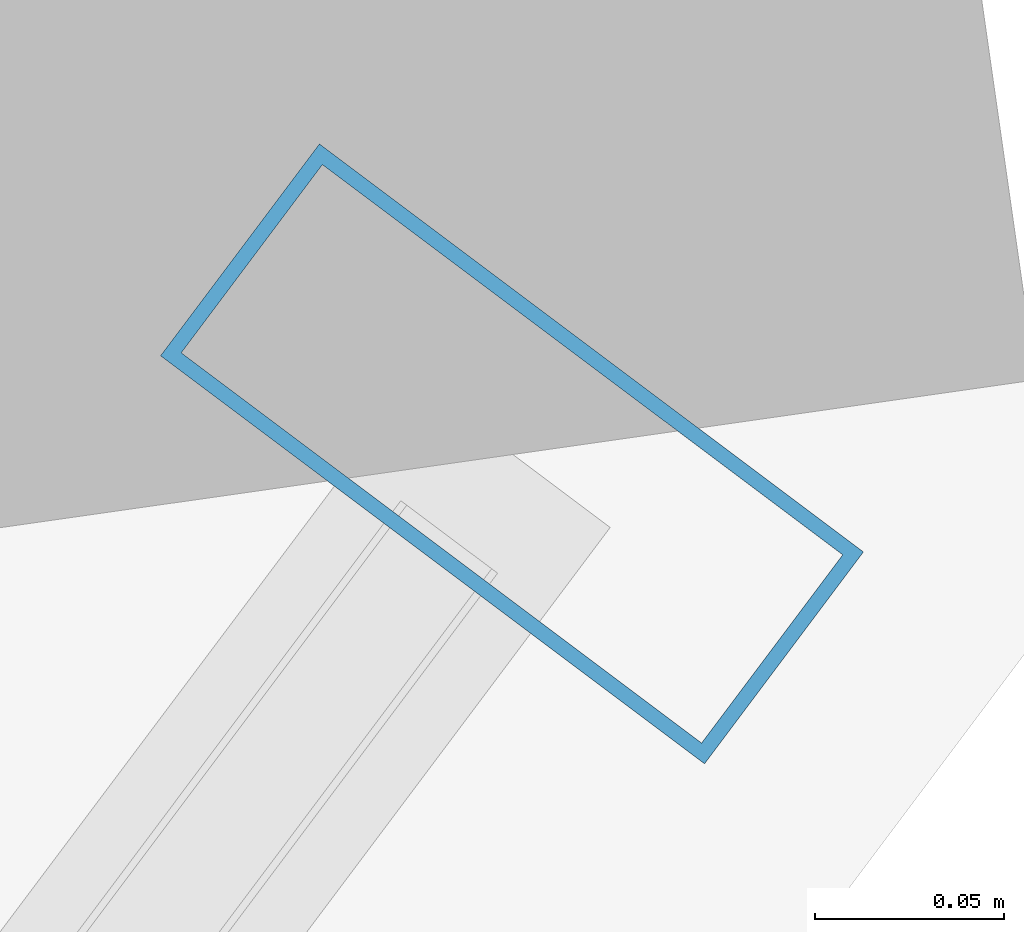
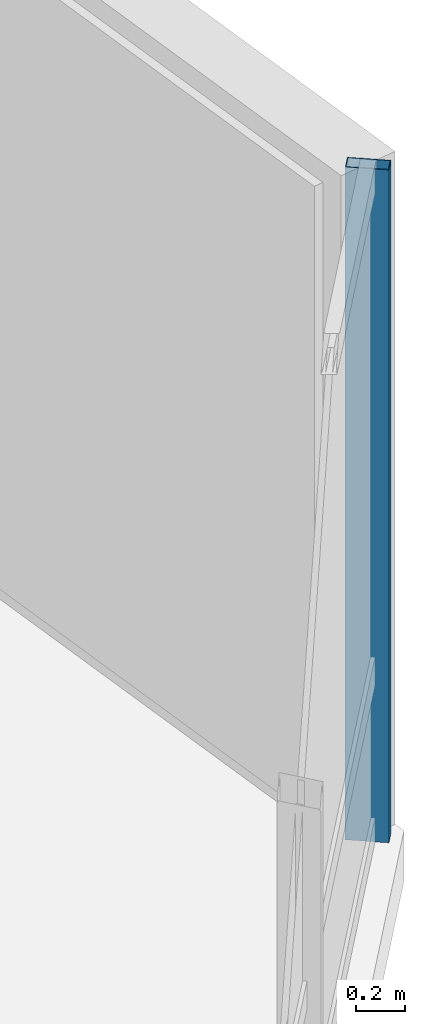
# One storey, part 12 of 29: 1 member, 1 element without a shape of its own.
"""IFC4 building model written with IfcOpenShell, lengths in metres."""

from ifc_helpers import new_model, si_unit, direction, frame, origin, origin_2d, place, context, subcontext, project, spatial, hollow_rectangle, extrude, material, layer, layer_set, material_profile, profile_set, type_object, element, aggregate, save


model = new_model("IFC4")

# Units and contexts
model_context = context("Model", 3, precision=1e-05, world=origin(), true_north=direction((0.0, 1.0)))
body_context = subcontext(model_context, "Body", "Model", "MODEL_VIEW")
ifc_project = project(units=[si_unit("LENGTHUNIT", "METRE"), si_unit("AREAUNIT", "SQUARE_METRE"), si_unit("VOLUMEUNIT", "CUBIC_METRE"), si_unit("PLANEANGLEUNIT", "RADIAN"), si_unit("MASSUNIT", "GRAM", prefix="KILO")], contexts=[model_context])

# Site, building, storey
site_placement = place(None, origin())
site = spatial("IfcSite", under=ifc_project, at=site_placement, CompositionType="ELEMENT")
building_placement = place(site_placement, origin())
building = spatial("IfcBuilding", under=site, at=building_placement, Name="Hatsunagi Terrace Concourse", CompositionType="ELEMENT")
storey_placement = place(building_placement, frame((0.0, 0.0, 115.64990234375)))
storey = spatial("IfcBuildingStorey", under=building, at=storey_placement, Name="L30", CompositionType="ELEMENT", Elevation=115.64990234375)

# Curtain wall, member
ifc_material_1 = material(Name="Anodised Aluminium Alloy 6063-T5", Category="aluminium")
ifc_layer = layer(ifc_material_1, 0.199951171875)
ifc_layer_set = layer_set([ifc_layer], Name="OfficeZone1_CW03")
curtain_wall_type = type_object("IfcCurtainWallType", Name="OfficeZone1_CW03", PredefinedType="NOTDEFINED", material=ifc_layer_set)
curtain_wall_placement = place(storey_placement, origin())
curtain_wall = element("IfcCurtainWall", 1, at=curtain_wall_placement, inside=storey, type_object=curtain_wall_type, Name="Unitised Curtain Wall CW-03 CW-L30-03", PredefinedType="NOTDEFINED")
ifc_material_2 = material(Name="Anodised Aluminium Alloy 6063-T5", Category="aluminium")
ifc_material_profile = material_profile(ifc_material_2, hollow_rectangle(XDim=0.070068359375, YDim=0.179931640625, WallThickness=0.00390625, at=origin_2d()), Name="ALU-MUL-180x70x4")
ifc_profile_set = profile_set([ifc_material_profile], Name="Anodised Aluminium Alloy 6063-T5")
member_type = type_object("IfcMemberType", Name="CurtainWallMullion_180x70", PredefinedType="MULLION", material=ifc_profile_set)
member_placement = place(storey_placement, frame((69.093017578125, 19.657958984375, 0.0), z_axis=(0.0, 0.0, 1.0), x_axis=(-0.599969314634, -0.800023013105, 0.0)))
member = element("IfcMember", 2, at=member_placement, type_object=member_type, Name="Curtain Wall Mullion MUL-02", PredefinedType="MULLION", context=body_context, shape_type="SweptSolid", body=[
    extrude(hollow_rectangle(XDim=0.070068359375, YDim=0.179931640625, WallThickness=0.00390625, at=origin_2d()), origin(), (0.0, 0.0, 1.0), 3.35009765625),
])
aggregate(curtain_wall, [member])

save(model, "model.ifc")
